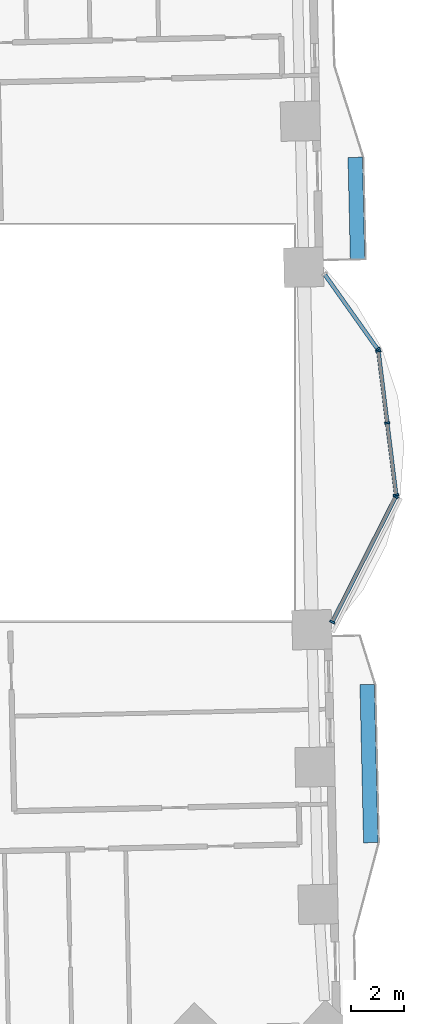
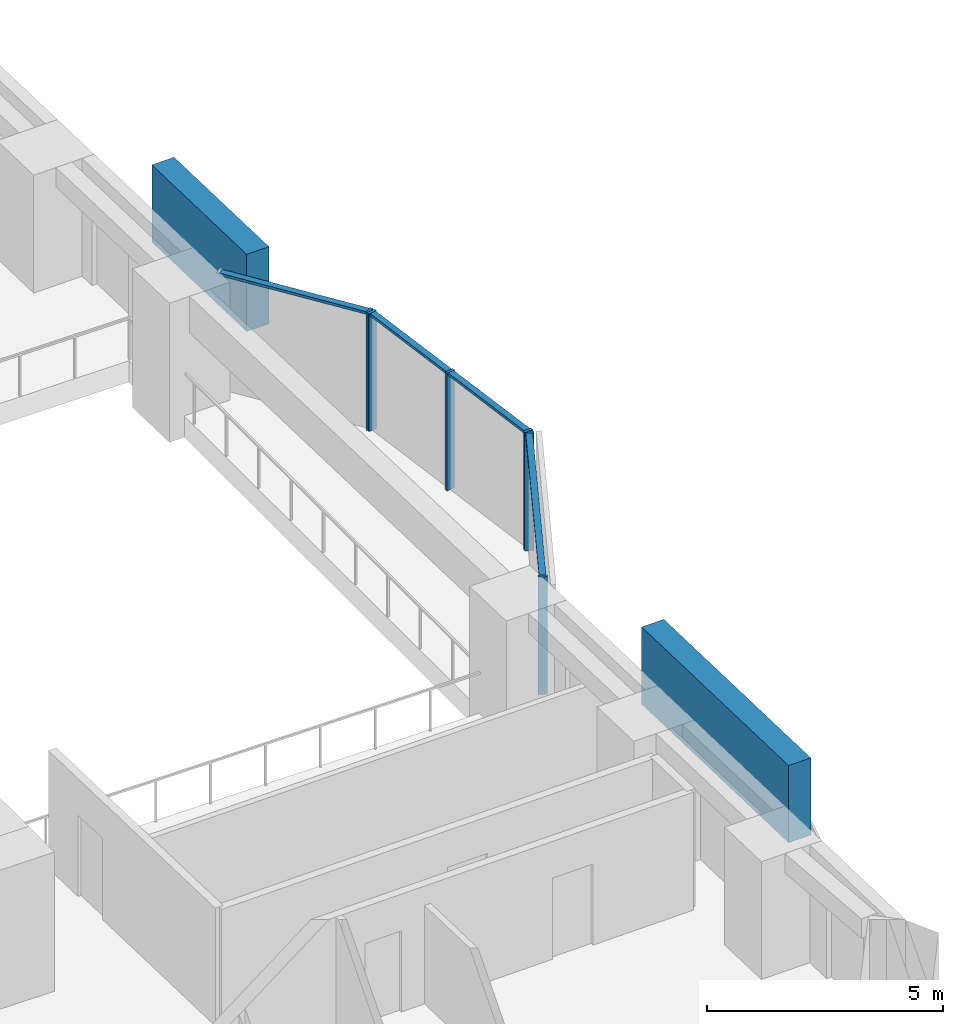
# One storey, part 3 of 16: 12 members, 3 elements without a shape of their own.
"""IFC4 building model written with IfcOpenShell, lengths in metres."""

import ifcopenshell
import ifcopenshell.guid

model = None  # the IFC model being written
_history = None  # IfcOwnerHistory: only IFC2X3 demands one
_inside = {}  # id of a spatial element -> (the spatial element, [elements in it])
_under = {}  # id of a project, library or spatial element -> (it, [spatial elements below it])
_declared = {}  # id of a project -> (the project, [libraries it declares])
_typed = {}  # id of a type object -> (the type object, [elements of that type])
_made_of = {}  # id of a material, layer set ... -> (it, [elements and type objects made of it])


def new_model(schema):
    """Start an empty IFC model of exactly this schema.

    Asked for "IFC4X3", IfcOpenShell would pick the latest addendum, in which some entities
    have other attributes; the version numbers below select the first issue.
    IFC2X3 requires an IfcOwnerHistory on every rooted entity: one is made here for all.
    """
    global model, _history
    if schema == "IFC4X3":
        model = ifcopenshell.file(schema_version=(4, 3, 0, 0))
    else:
        model = ifcopenshell.file(schema=schema)
    _inside.clear()
    _under.clear()
    _declared.clear()
    _typed.clear()
    _made_of.clear()
    _history = None
    if model.schema == "IFC2X3":
        org = make("IfcOrganization", Name="unknown")
        user = make(
            "IfcPersonAndOrganization",
            ThePerson=make("IfcPerson", FamilyName="unknown"),
            TheOrganization=org,
        )
        app = make(
            "IfcApplication",
            ApplicationDeveloper=org,
            Version="unknown",
            ApplicationFullName="unknown",
            ApplicationIdentifier="unknown",
        )
        _history = make(
            "IfcOwnerHistory",
            OwningUser=user,
            OwningApplication=app,
            ChangeAction="ADDED",
            CreationDate=0,
        )
    return model


def make(cls, **values):
    """One entity of the class cls with the attributes given. An attribute that is None is left unset."""
    return model.create_entity(
        cls, **{name: value for name, value in values.items() if value is not None}
    )


def rooted(cls, **values):
    """An entity with a GlobalId (a new one), such as an element, a storey or a relation."""
    return make(cls, GlobalId=ifcopenshell.guid.new(), OwnerHistory=_history, **values)


def si_unit(unit_type, name, prefix=None):
    """IfcSIUnit, for example si_unit("LENGTHUNIT", "METRE", prefix="MILLI")."""
    return make("IfcSIUnit", UnitType=unit_type, Prefix=prefix, Name=name)


def assignment(units):
    """IfcUnitAssignment: the units of a project."""
    return None if units is None else make("IfcUnitAssignment", Units=units)


def point(xyz):
    """IfcCartesianPoint."""
    return None if xyz is None else make("IfcCartesianPoint", Coordinates=xyz)


def direction(xyz):
    """IfcDirection."""
    return None if xyz is None else make("IfcDirection", DirectionRatios=xyz)


def frame(location, z_axis=None, x_axis=None):
    """IfcAxis2Placement3D, a coordinate frame: its origin and axes. An axis left out is left unset."""
    return make(
        "IfcAxis2Placement3D",
        Location=point(location),
        Axis=direction(z_axis),
        RefDirection=direction(x_axis),
    )


def frame_2d(location, x_axis=None):
    """IfcAxis2Placement2D, a coordinate frame in the plane: its origin and x axis."""
    return make(
        "IfcAxis2Placement2D", Location=point(location), RefDirection=direction(x_axis)
    )


def origin():
    """The frame at (0, 0, 0) with its axes left unset."""
    return frame((0.0, 0.0, 0.0))


def origin_2d():
    """The frame at (0, 0) in the plane with its x axis left unset."""
    return frame_2d((0.0, 0.0))


def place(relative_to, where):
    """IfcLocalPlacement: puts the frame where relative to a parent placement (None: the world)."""
    return make(
        "IfcLocalPlacement", PlacementRelTo=relative_to, RelativePlacement=where
    )


def context(
    kind, dimensions, precision=None, world=None, true_north=None, identifier=None
):
    """IfcGeometricRepresentationContext, for example the 3D "Model" context."""
    return make(
        "IfcGeometricRepresentationContext",
        ContextIdentifier=identifier,
        ContextType=kind,
        CoordinateSpaceDimension=dimensions,
        Precision=precision,
        WorldCoordinateSystem=world,
        TrueNorth=true_north,
    )


def subcontext(parent, identifier, kind, view, scale=None):
    """IfcGeometricRepresentationSubContext, for example "Body" below "Model"."""
    return make(
        "IfcGeometricRepresentationSubContext",
        ContextIdentifier=identifier,
        ContextType=kind,
        ParentContext=parent,
        TargetScale=scale,
        TargetView=view,
    )


def project(units=None, contexts=None):
    """IfcProject with its units and contexts."""
    return rooted(
        "IfcProject",
        Name="project",
        RepresentationContexts=contexts,
        UnitsInContext=assignment(units),
    )


def spatial(cls, under=None, at=None, **own):
    """A site, building, storey or space (cls), placed at a placement, below another one or the project."""
    s = rooted(cls, ObjectPlacement=at, **own)
    if under is not None:
        _under.setdefault(under.id(), (under, []))[1].append(s)
    return s


def profile(cls, at=None, kind="AREA", **sizes):
    """A parametric profile (cls). Its sizes go by their IFC names, for example OverallWidth=200.0."""
    return make(cls, ProfileType=kind, Position=at, **sizes)


def rectangle(**sizes):
    """IfcRectangleProfileDef."""
    return profile("IfcRectangleProfileDef", **sizes)


def extrude(swept, where, along, depth):
    """IfcExtrudedAreaSolid: the profile swept, set in the frame where, extruded along a direction by depth."""
    return make(
        "IfcExtrudedAreaSolid",
        SweptArea=swept,
        Position=where,
        ExtrudedDirection=direction(along),
        Depth=depth,
    )


def shape(context_of_items, identifier, shape_type, items):
    """IfcShapeRepresentation: the items that make up one representation, for example the "Body"."""
    return make(
        "IfcShapeRepresentation",
        ContextOfItems=context_of_items,
        RepresentationIdentifier=identifier,
        RepresentationType=shape_type,
        Items=items,
    )


def material(Name=None, Category=None):
    """IfcMaterial."""
    return make("IfcMaterial", Name=Name, Category=Category)


def material_profile(
    of_material, cross_section, Name=None, Category=None, Priority=None
):
    """IfcMaterialProfile: a cross section and its material."""
    return make(
        "IfcMaterialProfile",
        Name=Name,
        Material=of_material,
        Profile=cross_section,
        Priority=Priority,
        Category=Category,
    )


def profile_set(profiles, Name=None, composite=None):
    """IfcMaterialProfileSet."""
    return make(
        "IfcMaterialProfileSet",
        Name=Name,
        MaterialProfiles=profiles,
        CompositeProfile=composite,
    )


def made_of(thing, what):
    """Note that an element or type object is made of a material, layer set ...; save() writes the relation."""
    if what is not None:
        _made_of.setdefault(what.id(), (what, []))[1].append(thing)
    return thing


def type_object(cls, material=None, **own):
    """A type object (cls), such as IfcWallType, which elements share."""
    return made_of(rooted(cls, **own), material)


def element(
    cls,
    number,
    at=None,
    inside=None,
    cuts=None,
    type_object=None,
    material=None,
    context=None,
    identifier="Body",
    shape_type=None,
    held_by="IfcProductDefinitionShape",
    body=None,
    shapes=None,
    **own,
):
    """One element of the class cls, such as IfcWall. Its Tag is "e" and its number.

    at: its placement. inside: the storey or other place that contains it. cuts: it is an
    opening in that element (IfcRelVoidsElement). A single representation is given by context,
    identifier, shape_type and body (its items); several are given by shapes. held_by: the class
    of the entity that holds the representations. save() writes the other relations.
    """
    e = rooted(cls, Tag="e%d" % number, ObjectPlacement=at, **own)
    if body is not None:
        shapes = [shape(context, identifier, shape_type, body)]
    if shapes is not None:
        e.Representation = make(held_by, Representations=shapes)
    if inside is not None:
        _inside.setdefault(inside.id(), (inside, []))[1].append(e)
    if cuts is not None:
        rooted(
            "IfcRelVoidsElement", RelatingBuildingElement=cuts, RelatedOpeningElement=e
        )
    if type_object is not None:
        _typed.setdefault(type_object.id(), (type_object, []))[1].append(e)
    return made_of(e, material)


def aggregate(whole, parts):
    """IfcRelAggregates: a whole, such as a stair, and the parts it consists of."""
    return rooted("IfcRelAggregates", RelatingObject=whole, RelatedObjects=parts)


def save(model, path):
    """Write the relations noted so far, then the file.

    IfcRelAggregates (storeys below a building ...), IfcRelContainedInSpatialStructure (elements
    in a storey), IfcRelDefinesByType, IfcRelAssociatesMaterial and IfcRelDeclares: one each for
    every whole, place, type object, material and project.
    """
    for whole, parts in _under.values():
        aggregate(whole, parts)
    for where, things in _inside.values():
        rooted(
            "IfcRelContainedInSpatialStructure",
            RelatedElements=things,
            RelatingStructure=where,
        )
    for kind, things in _typed.values():
        rooted("IfcRelDefinesByType", RelatedObjects=things, RelatingType=kind)
    for what, things in _made_of.values():
        rooted("IfcRelAssociatesMaterial", RelatedObjects=things, RelatingMaterial=what)
    for by, libraries in _declared.values():
        rooted("IfcRelDeclares", RelatingContext=by, RelatedDefinitions=libraries)
    model.write(path)


model = new_model("IFC4")

# Units and contexts
model_context = context("Model", 3, precision=1e-05, world=origin(), true_north=direction((0.0, 1.0)))
body_context = subcontext(model_context, "Body", "Model", "MODEL_VIEW")
ifc_project = project(units=[si_unit("LENGTHUNIT", "METRE"), si_unit("AREAUNIT", "SQUARE_METRE"), si_unit("VOLUMEUNIT", "CUBIC_METRE"), si_unit("PLANEANGLEUNIT", "RADIAN"), si_unit("MASSUNIT", "GRAM", prefix="KILO")], contexts=[model_context])

# Site, building, storey
site_placement = place(None, origin())
site = spatial("IfcSite", under=ifc_project, at=site_placement, CompositionType="ELEMENT")
building_placement = place(site_placement, origin())
building = spatial("IfcBuilding", under=site, at=building_placement, Name="Mangrove Gate Tower", CompositionType="ELEMENT")
storey_placement = place(building_placement, frame((0.0, 0.0, 48.5)))
storey = spatial("IfcBuildingStorey", under=building, at=storey_placement, Name="L11", CompositionType="ELEMENT", Elevation=48.5)

# Curtain wall, members
ifc_material_1 = material(Name="Aluminium and glass curtain wall", Category="aluminium")
curtain_wall_type = type_object("IfcCurtainWallType", Name="Atrium garden-court glazing wall", PredefinedType="NOTDEFINED", material=ifc_material_1)
curtain_wall_1_placement = place(storey_placement, origin())
curtain_wall_1 = element("IfcCurtainWall", 1, at=curtain_wall_1_placement, inside=storey, type_object=curtain_wall_type, Name="Atrium garden-court glazing E1f1", PredefinedType="NOTDEFINED")
ifc_material_2 = material(Name="Aluminium alloy 6063-T6", Category="aluminium")
ifc_material_profile_1 = material_profile(ifc_material_2, rectangle(XDim=0.070068359375, YDim=0.199951171875, at=origin_2d()))
ifc_profile_set_1 = profile_set([ifc_material_profile_1], Name="Aluminium alloy 6063-T6")
member_type_1 = type_object("IfcMemberType", Name="Atrium garden-court glazing mullion 70x200", PredefinedType="MULLION", material=ifc_profile_set_1)
member_1_placement = place(storey_placement, frame((29.3681640625, -7.54833984375, 0.0), z_axis=(0.0, 0.0, 1.0), x_axis=(0.452600233136, 0.89171353526, 0.0)))
member_1 = element("IfcMember", 2, at=member_1_placement, type_object=member_type_1, Name="CWA mullion 1", PredefinedType="MULLION", context=body_context, shape_type="SweptSolid", body=[
    extrude(rectangle(XDim=0.070068359375, YDim=0.199951171875, at=origin_2d()), origin(), (0.0, 0.0, 1.0), 3.050048828125),
])
member_2_placement = place(storey_placement, frame((31.77978515625, -2.797119140625, 0.0), z_axis=(0.0, 0.0, 1.0), x_axis=(0.452600233136, 0.89171353526, 0.0)))
member_2 = element("IfcMember", 3, at=member_2_placement, type_object=member_type_1, Name="CWA mullion 2", PredefinedType="MULLION", context=body_context, shape_type="SweptSolid", body=[
    extrude(rectangle(XDim=0.070068359375, YDim=0.199951171875, at=origin_2d()), origin(), (0.0, 0.0, 1.0), 3.050048828125),
])

curtain_wall_2_placement = place(storey_placement, origin())
curtain_wall_2 = element("IfcCurtainWall", 4, at=curtain_wall_2_placement, inside=storey, type_object=curtain_wall_type, Name="Atrium garden-court glazing E1f2", PredefinedType="NOTDEFINED")
member_3_placement = place(storey_placement, frame((31.791259765625, -2.731201171875, 0.0), z_axis=(0.0, 0.0, 1.0), x_axis=(-0.122172285885, 0.992508908051, 0.0)))
member_3 = element("IfcMember", 5, at=member_3_placement, type_object=member_type_1, Name="CWA mullion 1", PredefinedType="MULLION", context=body_context, shape_type="SweptSolid", body=[
    extrude(rectangle(XDim=0.070068359375, YDim=0.199951171875, at=origin_2d()), origin(), (0.0, 0.0, 1.0), 3.050048828125),
])
member_4_placement = place(storey_placement, frame((31.455078125, -0.000244140625, 0.0), z_axis=(0.0, 0.0, 1.0), x_axis=(-0.122172285885, 0.992508908051, 0.0)))
member_4 = element("IfcMember", 6, at=member_4_placement, type_object=member_type_1, Name="CWA mullion 2", PredefinedType="MULLION", context=body_context, shape_type="SweptSolid", body=[
    extrude(rectangle(XDim=0.070068359375, YDim=0.199951171875, at=origin_2d()), origin(), (0.0, 0.0, 1.0), 3.050048828125),
])
member_5_placement = place(storey_placement, frame((31.118896484375, 2.73095703125, 0.0), z_axis=(0.0, 0.0, 1.0), x_axis=(-0.122172285885, 0.992508908051, 0.0)))
member_5 = element("IfcMember", 7, at=member_5_placement, type_object=member_type_1, Name="CWA mullion 3", PredefinedType="MULLION", context=body_context, shape_type="SweptSolid", body=[
    extrude(rectangle(XDim=0.070068359375, YDim=0.199951171875, at=origin_2d()), origin(), (0.0, 0.0, 1.0), 3.050048828125),
])

# Curtain wall, member
curtain_wall_3_placement = place(storey_placement, origin())
curtain_wall_3 = element("IfcCurtainWall", 8, at=curtain_wall_3_placement, inside=storey, type_object=curtain_wall_type, Name="Atrium garden-court glazing E1f3", PredefinedType="NOTDEFINED")
member_6_placement = place(storey_placement, frame((31.094482421875, 2.794189453125, 0.0), z_axis=(0.0, 0.0, 1.0), x_axis=(-0.578122631637, 0.815949889877, 0.0)))
member_6 = element("IfcMember", 9, at=member_6_placement, type_object=member_type_1, Name="CWA mullion 1", PredefinedType="MULLION", context=body_context, shape_type="SweptSolid", body=[
    extrude(rectangle(XDim=0.070068359375, YDim=0.199951171875, at=origin_2d()), origin(), (0.0, 0.0, 1.0), 3.050048828125),
])

# Member
ifc_material_3 = material(Name="Aluminium alloy 6063-T6", Category="aluminium")
ifc_material_profile_2 = material_profile(ifc_material_3, rectangle(XDim=0.070068359375, YDim=0.14990234375, at=origin_2d()))
ifc_profile_set_2 = profile_set([ifc_material_profile_2], Name="Aluminium alloy 6063-T6")
member_type_2 = type_object("IfcMemberType", Name="Atrium garden-court glazing transom 70x150", PredefinedType="USERDEFINED", material=ifc_profile_set_2)
member_7_placement = place(storey_placement, frame((29.384033203125, -7.51708984375, 3.014892578125), z_axis=(0.452610006929, 0.891708574383, 0.0), x_axis=(0.0, 0.0, 1.0)))
member_7 = element("IfcMember", 10, at=member_7_placement, type_object=member_type_2, Name="CWA transom 1.2", ObjectType="TRANSOM", PredefinedType="USERDEFINED", context=body_context, shape_type="SweptSolid", body=[
    extrude(rectangle(XDim=0.070068359375, YDim=0.14990234375, at=origin_2d()), origin(), (0.0, 0.0, 1.0), 5.258056640625),
])

aggregate(curtain_wall_1, [member_1, member_2, member_7])

member_8_placement = place(storey_placement, frame((31.787109375, -2.696533203125, 3.014892578125), z_axis=(-0.122174517154, 0.992508633392, 0.0), x_axis=(0.0, 0.0, 1.0)))
member_8 = element("IfcMember", 11, at=member_8_placement, type_object=member_type_2, Name="CWA transom 1.2", ObjectType="TRANSOM", PredefinedType="USERDEFINED", context=body_context, shape_type="SweptSolid", body=[
    extrude(rectangle(XDim=0.070068359375, YDim=0.14990234375, at=origin_2d()), origin(), (0.0, 0.0, 1.0), 2.681640625),
])

member_9_placement = place(storey_placement, frame((31.450927734375, 0.03466796875, 3.014892578125), z_axis=(-0.122174517154, 0.992508633392, 0.0), x_axis=(0.0, 0.0, 1.0)))
member_9 = element("IfcMember", 12, at=member_9_placement, type_object=member_type_2, Name="CWA transom 2.2", ObjectType="TRANSOM", PredefinedType="USERDEFINED", context=body_context, shape_type="SweptSolid", body=[
    extrude(rectangle(XDim=0.070068359375, YDim=0.14990234375, at=origin_2d()), origin(), (0.0, 0.0, 1.0), 2.681640625),
])

aggregate(curtain_wall_2, [member_3, member_4, member_5, member_8, member_9])

member_10_placement = place(storey_placement, frame((31.07421875, 2.82275390625, 3.014892578125), z_axis=(-0.578122045982, 0.815950304829, 0.0), x_axis=(0.0, 0.0, 1.0)))
member_10 = element("IfcMember", 13, at=member_10_placement, type_object=member_type_2, Name="CWA transom 1.2", ObjectType="TRANSOM", PredefinedType="USERDEFINED", context=body_context, shape_type="SweptSolid", body=[
    extrude(rectangle(XDim=0.070068359375, YDim=0.14990234375, at=origin_2d()), origin(), (0.0, 0.0, 1.0), 3.4287109375),
])

aggregate(curtain_wall_3, [member_6, member_10])

# Members
ifc_material_4 = material(Name="Planting on aluminium trellis", Category="aluminium")
ifc_material_profile_3 = material_profile(ifc_material_4, rectangle(XDim=0.550048828125, YDim=2.0, at=origin_2d()))
ifc_profile_set_3 = profile_set([ifc_material_profile_3], Name="Planting on aluminium trellis")
member_type_3 = type_object("IfcMemberType", Name="Balcony greenery screen 550x2000", PredefinedType="USERDEFINED", material=ifc_profile_set_3)
member_11_placement = place(storey_placement, frame((30.83203125, -15.91796875, 1.800048828125), z_axis=(-0.022828630714, 0.999739392852, 0.0), x_axis=(-0.999739392852, -0.022828630714, 0.0)))
element("IfcMember", 14, at=member_11_placement, inside=storey, type_object=member_type_3, Name="GREEN SCREEN L11 E0.1", ObjectType="PLANTING", PredefinedType="USERDEFINED", context=body_context, shape_type="SweptSolid", body=[
    extrude(rectangle(XDim=0.550048828125, YDim=2.0, at=origin_2d()), origin(), (0.0, 0.0, 1.0), 5.99951171875),
])
member_12_placement = place(storey_placement, frame((30.330078125, 6.200927734375, 1.800048828125), z_axis=(-0.022744303924, 0.999741314861, 0.0), x_axis=(-0.999741314861, -0.022744303924, 0.0)))
element("IfcMember", 15, at=member_12_placement, inside=storey, type_object=member_type_3, Name="GREEN SCREEN L11 E1.1", ObjectType="PLANTING", PredefinedType="USERDEFINED", context=body_context, shape_type="SweptSolid", body=[
    extrude(rectangle(XDim=0.550048828125, YDim=2.0, at=origin_2d()), origin(), (0.0, 0.0, 1.0), 3.875),
])

save(model, "model.ifc")
